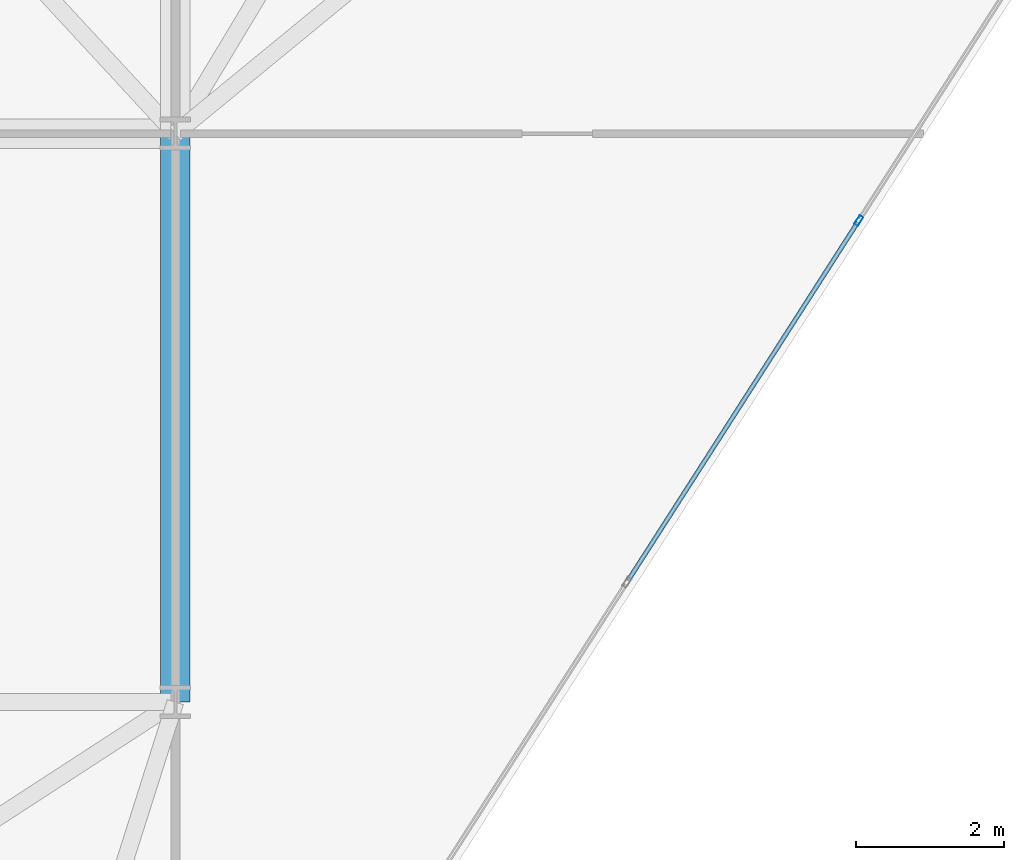
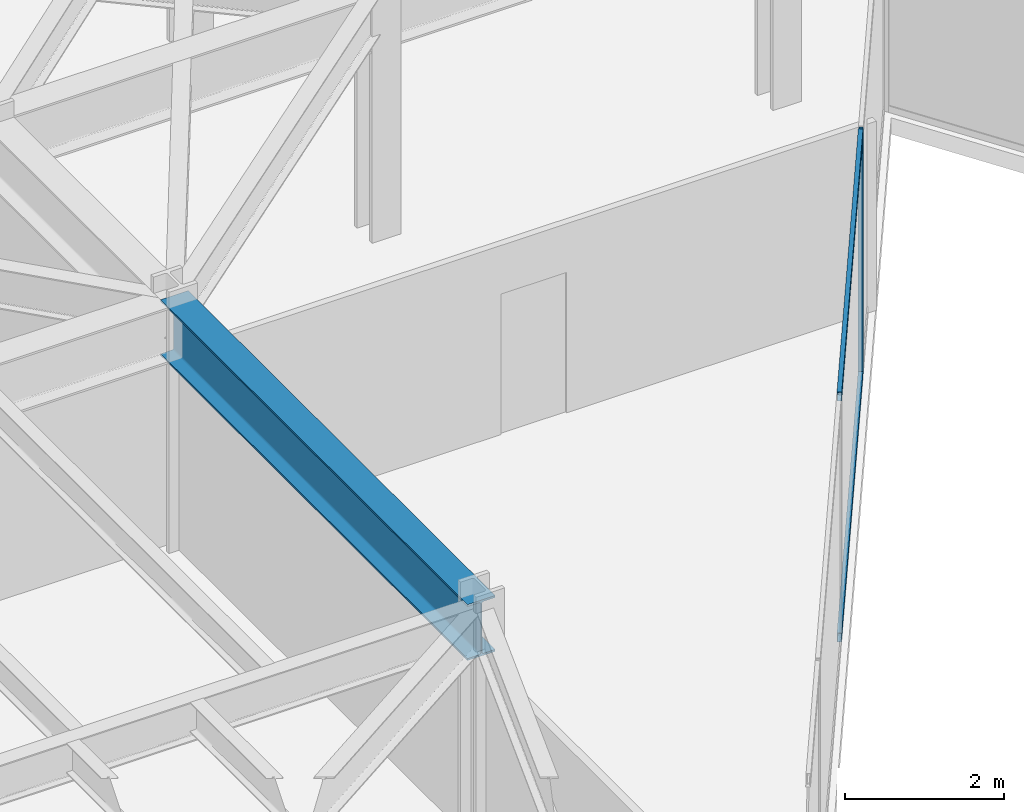
# One storey, part 8 of 26: 3 members, 1 beam, 1 element without a shape of its own.
"""IFC4 building model written with IfcOpenShell, lengths in metres."""

from ifc_helpers import new_model, si_unit, direction, frame, origin, origin_2d, place, context, subcontext, project, spatial, hollow_rectangle, i_section, extrude, material, layer, layer_set, material_profile, profile_set, type_object, element, aggregate, save


model = new_model("IFC4")

# Units and contexts
model_context = context("Model", 3, precision=1e-05, world=origin(), true_north=direction((0.0, 1.0)))
body_context = subcontext(model_context, "Body", "Model", "MODEL_VIEW")
ifc_project = project(units=[si_unit("LENGTHUNIT", "METRE"), si_unit("AREAUNIT", "SQUARE_METRE"), si_unit("VOLUMEUNIT", "CUBIC_METRE"), si_unit("PLANEANGLEUNIT", "RADIAN"), si_unit("MASSUNIT", "GRAM", prefix="KILO")], contexts=[model_context])

# Site, building, storey
site_placement = place(None, origin())
site = spatial("IfcSite", under=ifc_project, at=site_placement, CompositionType="ELEMENT")
building_placement = place(site_placement, origin())
building = spatial("IfcBuilding", under=site, at=building_placement, Name="Kravanh Interchange Tower", CompositionType="ELEMENT")
storey_placement = place(building_placement, frame((0.0, 0.0, 148.0)))
storey = spatial("IfcBuildingStorey", under=building, at=storey_placement, Name="L35", CompositionType="ELEMENT", Elevation=148.0)

# Curtain wall, members
ifc_material_1 = material(Name="Anodised Bronze Aluminium", Category="aluminium")
ifc_layer = layer(ifc_material_1, 0.179931640625)
ifc_layer_set = layer_set([ifc_layer], Name="Unitised Curtain Wall System CW-Z2 Mid Office")
curtain_wall_type = type_object("IfcCurtainWallType", Name="Unitised Curtain Wall System CW-Z2 Mid Office", PredefinedType="NOTDEFINED", material=ifc_layer_set)
curtain_wall_placement = place(storey_placement, origin())
curtain_wall = element("IfcCurtainWall", 1, at=curtain_wall_placement, inside=storey, type_object=curtain_wall_type, Name="L35 Unitised Curtain Wall CW-L35-05", PredefinedType="NOTDEFINED")
ifc_material_2 = material(Name="Anodised Bronze Aluminium", Category="aluminium")
ifc_material_profile_1 = material_profile(ifc_material_2, hollow_rectangle(XDim=0.06005859375, YDim=0.139892578125, WallThickness=0.00390625, at=origin_2d()), Name="ALU60X140X4")
ifc_profile_set_1 = profile_set([ifc_material_profile_1], Name="Anodised Bronze Aluminium")
member_type_1 = type_object("IfcMemberType", Name="Curtain Wall Mullion ALU60X140X4 Bronze", PredefinedType="MULLION", material=ifc_profile_set_1)
member_1_placement = place(storey_placement, frame((36.45849609375, 21.021728515625, 0.0), z_axis=(0.0, 0.0, 1.0), x_axis=(0.841879939476, -0.539664865919, 0.0)))
member_1 = element("IfcMember", 2, at=member_1_placement, type_object=member_type_1, Name="CW-Z2 mullion 2", PredefinedType="MULLION", context=body_context, shape_type="SweptSolid", body=[
    extrude(hollow_rectangle(XDim=0.06005859375, YDim=0.139892578125, WallThickness=0.00390625, at=origin_2d()), origin(), (0.0, 0.0, 1.0), 3.75),
])
ifc_material_3 = material(Name="Anodised Bronze Aluminium", Category="aluminium")
ifc_material_profile_2 = material_profile(ifc_material_3, hollow_rectangle(XDim=0.06005859375, YDim=0.139892578125, WallThickness=0.00390625, at=origin_2d()), Name="ALU60X140X4")
ifc_profile_set_2 = profile_set([ifc_material_profile_2], Name="Anodised Bronze Aluminium")
member_type_2 = type_object("IfcMemberType", Name="Curtain Wall Transom ALU60X140X4 Bronze", PredefinedType="USERDEFINED", material=ifc_profile_set_2)
member_2_placement = place(storey_placement, frame((36.4423828125, 20.99658203125, 0.030029296875), z_axis=(-0.539647630778, -0.841890987359, 0.0), x_axis=(0.841890987359, -0.539647630778, 0.0)))
member_2 = element("IfcMember", 3, at=member_2_placement, type_object=member_type_2, Name="CW-Z2 transom 2.1", ObjectType="TRANSOM", PredefinedType="USERDEFINED", context=body_context, shape_type="SweptSolid", body=[
    extrude(hollow_rectangle(XDim=0.06005859375, YDim=0.139892578125, WallThickness=0.00390625, at=origin_2d()), origin(), (0.0, 0.0, 1.0), 5.760986328125),
])
member_3_placement = place(storey_placement, frame((36.4423828125, 20.99658203125, 3.719970703125), z_axis=(-0.539647630778, -0.841890987359, 0.0), x_axis=(0.841890987359, -0.539647630778, 0.0)))
member_3 = element("IfcMember", 4, at=member_3_placement, type_object=member_type_2, Name="CW-Z2 transom 2.2", ObjectType="TRANSOM", PredefinedType="USERDEFINED", context=body_context, shape_type="SweptSolid", body=[
    extrude(hollow_rectangle(XDim=0.06005859375, YDim=0.139892578125, WallThickness=0.00390625, at=origin_2d()), origin(), (0.0, 0.0, 1.0), 5.760986328125),
])
aggregate(curtain_wall, [member_1, member_2, member_3])

# Beam
ifc_material_4 = material(Name="Structural Steel S355", Category="steel")
ifc_material_profile_3 = material_profile(ifc_material_4, i_section(OverallWidth=0.39990234375, OverallDepth=0.85595703125, WebThickness=0.018310546875, FlangeThickness=0.029296875, FilletRadius=0.02490234375, at=origin_2d()), Name="W33X201")
ifc_profile_set_3 = profile_set([ifc_material_profile_3], Name="Structural Steel S355")
beam_type = type_object("IfcBeamType", Name="Floor Beam W33X201 Structural Steel S355", PredefinedType="BEAM", material=ifc_profile_set_3)
beam_placement = place(storey_placement, frame((27.199951171875, 14.5, 3.322021484375), z_axis=(0.0, 1.0, 0.0), x_axis=(-1.0, 0.0, 0.0)))
element("IfcBeam", 5, at=beam_placement, inside=storey, type_object=beam_type, Name="L35 Primary Floor Girder 102", PredefinedType="BEAM", context=body_context, shape_type="SweptSolid", body=[
    extrude(i_section(OverallWidth=0.39990234375, OverallDepth=0.85595703125, WebThickness=0.018310546875, FlangeThickness=0.029296875, FilletRadius=0.02490234375, at=origin_2d()), origin(), (0.0, 0.0, 1.0), 7.699951171875),
])

save(model, "model.ifc")
